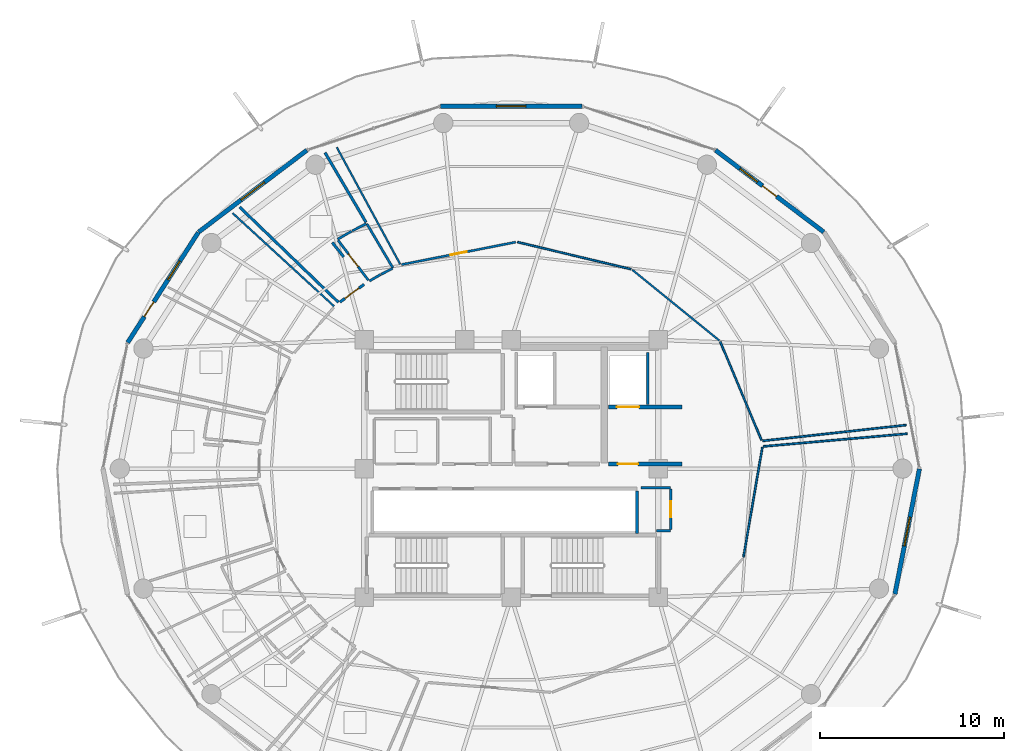
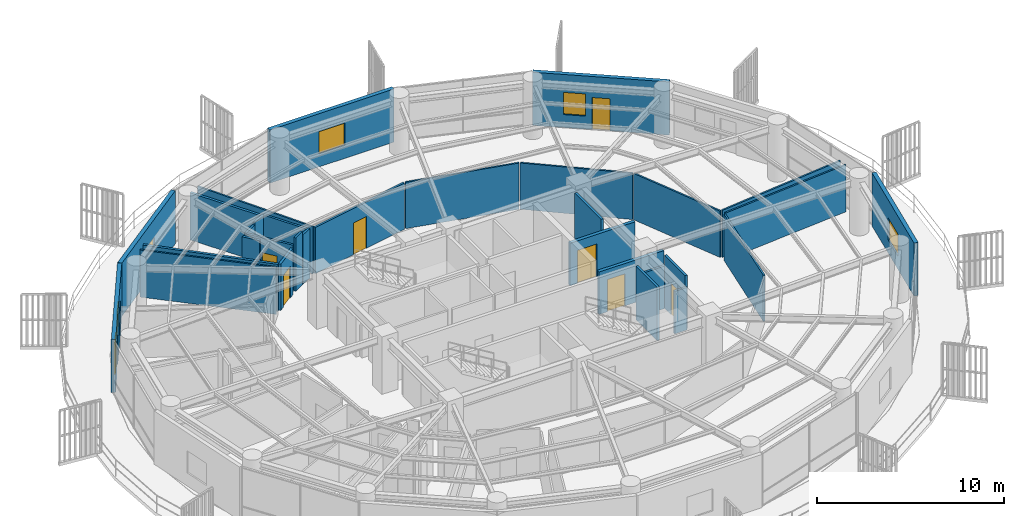
# One storey, part 26 of 31: 31 walls, 8 doors, 5 windows, 13 openings.
"""IFC4 building model written with IfcOpenShell, lengths in metres."""

from ifc_helpers import new_model, si_unit, direction, frame, frame_2d, origin, place, context, subcontext, project, spatial, rectangle, extrude, material, layer, layer_set, type_object, element, fill, save


model = new_model("IFC4")

# Units and contexts
model_context = context("Model", 3, precision=1e-05, world=origin(), true_north=direction((0.0, 1.0)))
body_context = subcontext(model_context, "Body", "Model", "MODEL_VIEW")
ifc_project = project(units=[si_unit("LENGTHUNIT", "METRE"), si_unit("AREAUNIT", "SQUARE_METRE"), si_unit("VOLUMEUNIT", "CUBIC_METRE"), si_unit("PLANEANGLEUNIT", "RADIAN"), si_unit("MASSUNIT", "GRAM", prefix="KILO")], contexts=[model_context])

# Site, building, storey
site_placement = place(None, origin())
site = spatial("IfcSite", under=ifc_project, at=site_placement, CompositionType="ELEMENT")
building_placement = place(site_placement, origin())
building = spatial("IfcBuilding", under=site, at=building_placement, Name="Kelanora Arch Commons", CompositionType="ELEMENT")
storey_placement = place(building_placement, frame((0.0, 0.0, 230.699951171875)))
storey = spatial("IfcBuildingStorey", under=building, at=storey_placement, Name="L59", CompositionType="ELEMENT", Elevation=230.699951171875)

# Walls
ifc_material_1 = material(Name="Autoclaved aerated concrete blockwork with fire plaster", Category="masonry")
ifc_layer_1 = layer(ifc_material_1, 0.14990234375)
ifc_layer_set_1 = layer_set([ifc_layer_1], Name="Autoclaved aerated concrete blockwork with fire plaster")
wall_type_1 = type_object("IfcWallType", Name="W-COMP-150", PredefinedType="PARTITIONING", material=ifc_layer_set_1)
wall_1_placement = place(storey_placement, frame((81.419921875, 61.47998046875, 0.0), z_axis=(0.0, 0.0, 1.0), x_axis=(0.0, 1.0, 0.0)))
element("IfcWall", 1, at=wall_1_placement, inside=storey, type_object=wall_type_1, Name="Firefighting Lift 2 East Shaft Wall L59", PredefinedType="PARTITIONING", context=body_context, shape_type="SweptSolid", body=[
    extrude(rectangle(XDim=2.840087890625, YDim=0.14990234375, at=frame_2d((1.419921875, 0.0))), origin(), (0.0, 0.0, 1.0), 3.47998046875),
])
wall_2_placement = place(storey_placement, frame((80.840087890625, 54.47998046875, 0.0), z_axis=(0.0, 0.0, 1.0), x_axis=(0.0, 1.0, 0.0)))
element("IfcWall", 2, at=wall_2_placement, inside=storey, type_object=wall_type_1, Name="South Lift Bank East Wall L59", PredefinedType="PARTITIONING", context=body_context, shape_type="SweptSolid", body=[
    extrude(rectangle(XDim=2.2900390625, YDim=0.14990234375, at=frame_2d((1.14501953125, 0.0))), origin(), (0.0, 0.0, 1.0), 3.47998046875),
])

# Wall, opening, door
wall_3_placement = place(storey_placement, frame((65.99853515625, 68.015380859375, 0.0), z_axis=(0.0, 0.0, 1.0), x_axis=(-0.806790207918, -0.59083801537, 0.0)))
wall_3 = element("IfcWall", 3, at=wall_3_placement, inside=storey, type_object=wall_type_1, Name="Cluster Bedroom L59-01 Entry Partition", PredefinedType="PARTITIONING", context=body_context, shape_type="SweptSolid", body=[
    extrude(rectangle(XDim=1.63134765625, YDim=0.14990234375, at=frame_2d((0.815673828125, 0.0))), origin(), (0.0, 0.0, 1.0), 3.025146484375),
])
opening_1_placement = place(wall_3_placement, frame((0.341064453125, 0.0, 0.0)))
opening_1 = element("IfcOpeningElement", 4, at=opening_1_placement, cuts=wall_3, Name="Opening D-CLU1", PredefinedType="OPENING", context=body_context, shape_type="SweptSolid", body=[
    extrude(rectangle(XDim=0.949951171875, YDim=2.080078125, at=frame_2d((0.47509765625, 1.0400390625))), frame((0.0, 0.0849609375, 0.0), z_axis=(0.0, -1.0, 0.0), x_axis=(1.0, 0.0, 0.0)), (0.0, 0.0, 1.0), 0.169921875),
])
ifc_material_2 = material(Name="Solid-core acoustic timber cluster entry fire door", Category="wood")
door_type_1 = type_object("IfcDoorType", Name="D-CLU-95", OperationType="NOTDEFINED", PredefinedType="DOOR", material=ifc_material_2)
door_1_placement = place(opening_1_placement, origin())
door_1 = element("IfcDoor", 5, at=door_1_placement, inside=storey, type_object=door_type_1, Name="Cluster Bedroom L59-01 Door", OperationType="SINGLE_SWING_RIGHT", OverallHeight=2.080078125, OverallWidth=0.949951171875, PredefinedType="DOOR", context=body_context, shape_type="SweptSolid", body=[
    extrude(rectangle(XDim=0.949951171875, YDim=2.080078125, at=frame_2d((0.47509765625, 1.0400390625))), frame((0.0, 0.02490234375, 0.0), z_axis=(0.0, -1.0, 0.0), x_axis=(1.0, 0.0, 0.0)), (0.0, 0.0, 1.0), 0.050048828125),
])
fill(opening_1, door_1)

# Walls
wall_4_placement = place(storey_placement, frame((64.605224609375, 67.043701171875, 0.0), z_axis=(0.0, 0.0, 1.0), x_axis=(-0.719927885424, 0.694048874208, 0.0)))
element("IfcWall", 6, at=wall_4_placement, inside=storey, type_object=wall_type_1, Name="Cluster Bedroom L59-01 Enclosure Partition 2", PredefinedType="PARTITIONING", context=body_context, shape_type="SweptSolid", body=[
    extrude(rectangle(XDim=7.452880859375, YDim=0.14990234375, at=frame_2d((3.7265625, 0.0))), origin(), (0.0, 0.0, 1.0), 3.074951171875),
])
wall_5_placement = place(storey_placement, frame((63.875244140625, 75.181396484375, 0.0), z_axis=(0.0, 0.0, 1.0), x_axis=(0.50737473807, -0.861725521943, 0.0)))
element("IfcWall", 7, at=wall_5_placement, inside=storey, type_object=wall_type_1, Name="Cluster Bedroom L59-01 Enclosure Partition 5", PredefinedType="PARTITIONING", context=body_context, shape_type="SweptSolid", body=[
    extrude(rectangle(XDim=4.392333984375, YDim=0.14990234375, at=frame_2d((2.1962890625, 0.0))), origin(), (0.0, 0.0, 1.0), 3.074951171875),
])
wall_6_placement = place(storey_placement, frame((64.27490234375, 70.29248046875, 0.0), z_axis=(0.0, 0.0, 1.0), x_axis=(0.620137292908, -0.784493300127, 0.0)))
element("IfcWall", 8, at=wall_6_placement, inside=storey, type_object=wall_type_1, Name="Cluster Bedroom L59-01 Enclosure Partition 7", PredefinedType="PARTITIONING", context=body_context, shape_type="SweptSolid", body=[
    extrude(rectangle(XDim=0.995361328125, YDim=0.14990234375, at=frame_2d((0.49755859375, 0.0))), origin(), (0.0, 0.0, 1.0), 3.025146484375),
])

# Wall, openings, door, window
ifc_material_3 = material(Name="Precast concrete C40/50 upper-zone terracotta rainscreen", Category="masonry")
ifc_layer_2 = layer(ifc_material_3, 0.239990234375)
ifc_layer_set_2 = layer_set([ifc_layer_2], Name="Precast concrete C40/50 upper-zone terracotta rainscreen")
wall_type_2 = type_object("IfcWallType", Name="W-EXT-TC2", PredefinedType="SOLIDWALL", material=ifc_layer_set_2)
wall_7_placement = place(storey_placement, frame((90.994140625, 70.86474609375, 0.0), z_axis=(0.0, 0.0, 1.0), x_axis=(-0.797701674595, 0.603052268338, 0.0)))
wall_7 = element("IfcWall", 9, at=wall_7_placement, inside=storey, type_object=wall_type_2, Name="Terracotta Exterior Wall L59-B02", PredefinedType="SOLIDWALL", context=body_context, shape_type="SweptSolid", body=[
    extrude(rectangle(XDim=7.373779296875, YDim=0.239990234375, at=frame_2d((3.68701171875, 0.0))), origin(), (0.0, 0.0, 1.0), 3.47509765625),
])
opening_2_placement = place(wall_7_placement, frame((3.2119140625, 0.0, 0.0)))
opening_2 = element("IfcOpeningElement", 10, at=opening_2_placement, cuts=wall_7, Name="Opening DB-01", PredefinedType="OPENING", context=body_context, shape_type="SweptSolid", body=[
    extrude(rectangle(XDim=0.949951171875, YDim=2.10009765625, at=frame_2d((0.47509765625, 1.050048828125))), frame((0.0, 0.1298828125, 0.0), z_axis=(0.0, -1.0, 0.0), x_axis=(1.0, 0.0, 0.0)), (0.0, 0.0, 1.0), 0.260009765625),
])
opening_3_placement = place(wall_7_placement, frame((4.511962890625, 0.0, 0.85009765625)))
opening_3 = element("IfcOpeningElement", 11, at=opening_3_placement, cuts=wall_7, Name="Opening WN-02", PredefinedType="OPENING", context=body_context, shape_type="SweptSolid", body=[
    extrude(rectangle(XDim=1.199951171875, YDim=1.449951171875, at=frame_2d((0.60009765625, 0.72509765625))), frame((0.0, 0.1298828125, 0.0), z_axis=(0.0, -1.0, 0.0), x_axis=(1.0, 0.0, 0.0)), (0.0, 0.0, 1.0), 0.260009765625),
])
ifc_material_4 = material(Name="Terracotta-aluminium thermally broken glazed balcony door", Category="masonry")
door_type_2 = type_object("IfcDoorType", Name="D-BAL-10", OperationType="NOTDEFINED", PredefinedType="DOOR", material=ifc_material_4)
door_2_placement = place(opening_2_placement, frame((0.949951171875, 0.0, 0.0), z_axis=(0.0, 0.0, 1.0), x_axis=(-1.0, 0.0, 0.0)))
door_2 = element("IfcDoor", 12, at=door_2_placement, inside=storey, type_object=door_type_2, Name="Wave Balcony Door L59-B02", OperationType="SINGLE_SWING_RIGHT", OverallHeight=2.10009765625, OverallWidth=0.949951171875, PredefinedType="DOOR", context=body_context, shape_type="SweptSolid", body=[
    extrude(rectangle(XDim=0.949951171875, YDim=2.10009765625, at=frame_2d((0.47509765625, 1.050048828125))), frame((0.0, 0.02490234375, 0.0), z_axis=(0.0, -1.0, 0.0), x_axis=(1.0, 0.0, 0.0)), (0.0, 0.0, 1.0), 0.050048828125),
])
fill(opening_2, door_2)
ifc_material_5 = material(Name="Terracotta-anodised aluminium frame with operable awning sash", Category="masonry")
window_type_1 = type_object("IfcWindowType", Name="WIN-CL-12", PartitioningType="SINGLE_PANEL", PredefinedType="WINDOW", material=ifc_material_5)
window_1_placement = place(opening_3_placement, origin())
window_1 = element("IfcWindow", 13, at=window_1_placement, inside=storey, type_object=window_type_1, Name="Co-Living Operable Window L59-B02", OverallHeight=1.449951171875, OverallWidth=1.199951171875, PartitioningType="SINGLE_PANEL", PredefinedType="WINDOW", context=body_context, shape_type="SweptSolid", body=[
    extrude(rectangle(XDim=1.199951171875, YDim=1.449951171875, at=frame_2d((0.60009765625, 0.72509765625))), frame((0.0, 0.030029296875, 0.0), z_axis=(0.0, -1.0, 0.0), x_axis=(1.0, 0.0, 0.0)), (0.0, 0.0, 1.0), 0.06005859375),
])
fill(opening_3, window_1)

# Wall, opening, window
wall_8_placement = place(storey_placement, frame((77.840087890625, 77.6962890625, 0.0), z_axis=(0.0, 0.0, 1.0), x_axis=(-1.0, 0.0, 0.0)))
wall_8 = element("IfcWall", 14, at=wall_8_placement, inside=storey, type_object=wall_type_2, Name="Terracotta Exterior Wall L59-B04", PredefinedType="SOLIDWALL", context=body_context, shape_type="SweptSolid", body=[
    extrude(rectangle(XDim=7.68017578125, YDim=0.239990234375, at=frame_2d((3.840087890625, 0.0))), origin(), (0.0, 0.0, 1.0), 3.47509765625),
])
opening_4_placement = place(wall_8_placement, frame((3.0400390625, 0.0, 0.85009765625)))
opening_4 = element("IfcOpeningElement", 15, at=opening_4_placement, cuts=wall_8, Name="Opening WN-01", PredefinedType="OPENING", context=body_context, shape_type="SweptSolid", body=[
    extrude(rectangle(XDim=1.60009765625, YDim=1.449951171875, at=frame_2d((0.800048828125, 0.72509765625))), frame((0.0, 0.1298828125, 0.0), z_axis=(0.0, -1.0, 0.0), x_axis=(1.0, 0.0, 0.0)), (0.0, 0.0, 1.0), 0.260009765625),
])
ifc_material_6 = material(Name="Terracotta-anodised aluminium frame with operable low-E glazing", Category="masonry")
window_type_2 = type_object("IfcWindowType", Name="WIN-CL-18", PartitioningType="DOUBLE_PANEL_VERTICAL", PredefinedType="WINDOW", material=ifc_material_6)
window_2_placement = place(opening_4_placement, origin())
window_2 = element("IfcWindow", 16, at=window_2_placement, inside=storey, type_object=window_type_2, Name="Co-Living Operable Window L59-B04", OverallHeight=1.449951171875, OverallWidth=1.60009765625, PartitioningType="SINGLE_PANEL", PredefinedType="WINDOW", context=body_context, shape_type="SweptSolid", body=[
    extrude(rectangle(XDim=1.60009765625, YDim=1.449951171875, at=frame_2d((0.800048828125, 0.72509765625))), frame((0.0, 0.030029296875, 0.0), z_axis=(0.0, -1.0, 0.0), x_axis=(1.0, 0.0, 0.0)), (0.0, 0.0, 1.0), 0.06005859375),
])
fill(opening_4, window_2)

wall_9_placement = place(storey_placement, frame((62.887939453125, 75.3115234375, 0.0), z_axis=(0.0, 0.0, 1.0), x_axis=(-0.797701674595, -0.603052268338, 0.0)))
wall_9 = element("IfcWall", 17, at=wall_9_placement, inside=storey, type_object=wall_type_2, Name="Terracotta Exterior Wall L59-B06", PredefinedType="SOLIDWALL", context=body_context, shape_type="SweptSolid", body=[
    extrude(rectangle(XDim=7.373779296875, YDim=0.239990234375, at=frame_2d((3.68701171875, 0.0))), origin(), (0.0, 0.0, 1.0), 3.47509765625),
])
opening_5_placement = place(wall_9_placement, frame((2.886962890625, 0.0, 0.85009765625)))
opening_5 = element("IfcOpeningElement", 18, at=opening_5_placement, cuts=wall_9, Name="Opening WN-01", PredefinedType="OPENING", context=body_context, shape_type="SweptSolid", body=[
    extrude(rectangle(XDim=1.60009765625, YDim=1.449951171875, at=frame_2d((0.800048828125, 0.72509765625))), frame((0.0, 0.1298828125, 0.0), z_axis=(0.0, -1.0, 0.0), x_axis=(1.0, 0.0, 0.0)), (0.0, 0.0, 1.0), 0.260009765625),
])
window_3_placement = place(opening_5_placement, origin())
window_3 = element("IfcWindow", 19, at=window_3_placement, inside=storey, type_object=window_type_2, Name="Co-Living Operable Window L59-B06", OverallHeight=1.449951171875, OverallWidth=1.60009765625, PartitioningType="SINGLE_PANEL", PredefinedType="WINDOW", context=body_context, shape_type="SweptSolid", body=[
    extrude(rectangle(XDim=1.60009765625, YDim=1.449951171875, at=frame_2d((0.800048828125, 0.72509765625))), frame((0.0, 0.030029296875, 0.0), z_axis=(0.0, -1.0, 0.0), x_axis=(1.0, 0.0, 0.0)), (0.0, 0.0, 1.0), 0.06005859375),
])
fill(opening_5, window_3)

# Wall, openings, door, window
wall_10_placement = place(storey_placement, frame((56.985595703125, 70.84326171875, 0.0), z_axis=(0.0, 0.0, 1.0), x_axis=(-0.539539512973, -0.841960280501, 0.0)))
wall_10 = element("IfcWall", 20, at=wall_10_placement, inside=storey, type_object=wall_type_2, Name="Terracotta Exterior Wall L59-B07", PredefinedType="SOLIDWALL", context=body_context, shape_type="SweptSolid", body=[
    extrude(rectangle(XDim=7.11474609375, YDim=0.239990234375, at=frame_2d((3.557373046875, 0.0))), origin(), (0.0, 0.0, 1.0), 3.47509765625),
])
opening_6_placement = place(wall_10_placement, frame((4.48193359375, 0.0, 0.0)))
opening_6 = element("IfcOpeningElement", 21, at=opening_6_placement, cuts=wall_10, Name="Opening DB-01", PredefinedType="OPENING", context=body_context, shape_type="SweptSolid", body=[
    extrude(rectangle(XDim=0.949951171875, YDim=2.10009765625, at=frame_2d((0.47509765625, 1.050048828125))), frame((0.0, 0.1298828125, 0.0), z_axis=(0.0, -1.0, 0.0), x_axis=(1.0, 0.0, 0.0)), (0.0, 0.0, 1.0), 0.260009765625),
])
opening_7_placement = place(wall_10_placement, frame((1.85205078125, 0.0, 0.85009765625)))
opening_7 = element("IfcOpeningElement", 22, at=opening_7_placement, cuts=wall_10, Name="Opening WN-02", PredefinedType="OPENING", context=body_context, shape_type="SweptSolid", body=[
    extrude(rectangle(XDim=1.199951171875, YDim=1.449951171875, at=frame_2d((0.60009765625, 0.72509765625))), frame((0.0, 0.1298828125, 0.0), z_axis=(0.0, -1.0, 0.0), x_axis=(1.0, 0.0, 0.0)), (0.0, 0.0, 1.0), 0.260009765625),
])
door_3_placement = place(opening_6_placement, frame((0.949951171875, 0.0, 0.0), z_axis=(0.0, 0.0, 1.0), x_axis=(-1.0, 0.0, 0.0)))
door_3 = element("IfcDoor", 23, at=door_3_placement, inside=storey, type_object=door_type_2, Name="Wave Balcony Door L59-B07", OperationType="SINGLE_SWING_LEFT", OverallHeight=2.10009765625, OverallWidth=0.949951171875, PredefinedType="DOOR", context=body_context, shape_type="SweptSolid", body=[
    extrude(rectangle(XDim=0.949951171875, YDim=2.10009765625, at=frame_2d((0.47509765625, 1.050048828125))), frame((0.0, 0.02490234375, 0.0), z_axis=(0.0, -1.0, 0.0), x_axis=(1.0, 0.0, 0.0)), (0.0, 0.0, 1.0), 0.050048828125),
])
fill(opening_6, door_3)
window_4_placement = place(opening_7_placement, origin())
window_4 = element("IfcWindow", 24, at=window_4_placement, inside=storey, type_object=window_type_1, Name="Co-Living Operable Window L59-B07", OverallHeight=1.449951171875, OverallWidth=1.199951171875, PartitioningType="SINGLE_PANEL", PredefinedType="WINDOW", context=body_context, shape_type="SweptSolid", body=[
    extrude(rectangle(XDim=1.199951171875, YDim=1.449951171875, at=frame_2d((0.60009765625, 0.72509765625))), frame((0.0, 0.030029296875, 0.0), z_axis=(0.0, -1.0, 0.0), x_axis=(1.0, 0.0, 0.0)), (0.0, 0.0, 1.0), 0.06005859375),
])
fill(opening_7, window_4)

# Wall, opening, window
wall_11_placement = place(storey_placement, frame((94.864013671875, 51.17431640625, 0.0), z_axis=(0.0, 0.0, 1.0), x_axis=(0.192069055673, 0.981381413036, 0.0)))
wall_11 = element("IfcWall", 25, at=wall_11_placement, inside=storey, type_object=wall_type_2, Name="Terracotta Exterior Wall L59-B17", PredefinedType="SOLIDWALL", context=body_context, shape_type="SweptSolid", body=[
    extrude(rectangle(XDim=6.940185546875, YDim=0.239990234375, at=frame_2d((3.47021484375, 0.0))), origin(), (0.0, 0.0, 1.0), 3.47509765625),
])
opening_8_placement = place(wall_11_placement, frame((2.669921875, 0.0, 0.85009765625)))
opening_8 = element("IfcOpeningElement", 26, at=opening_8_placement, cuts=wall_11, Name="Opening WN-01", PredefinedType="OPENING", context=body_context, shape_type="SweptSolid", body=[
    extrude(rectangle(XDim=1.60009765625, YDim=1.449951171875, at=frame_2d((0.800048828125, 0.72509765625))), frame((0.0, 0.1298828125, 0.0), z_axis=(0.0, -1.0, 0.0), x_axis=(1.0, 0.0, 0.0)), (0.0, 0.0, 1.0), 0.260009765625),
])
window_5_placement = place(opening_8_placement, origin())
window_5 = element("IfcWindow", 27, at=window_5_placement, inside=storey, type_object=window_type_2, Name="Co-Living Operable Window L59-B17", OverallHeight=1.449951171875, OverallWidth=1.60009765625, PartitioningType="SINGLE_PANEL", PredefinedType="WINDOW", context=body_context, shape_type="SweptSolid", body=[
    extrude(rectangle(XDim=1.60009765625, YDim=1.449951171875, at=frame_2d((0.800048828125, 0.72509765625))), frame((0.0, 0.030029296875, 0.0), z_axis=(0.0, -1.0, 0.0), x_axis=(1.0, 0.0, 0.0)), (0.0, 0.0, 1.0), 0.06005859375),
])
fill(opening_8, window_5)

# Wall, opening, door
ifc_material_7 = material(Name="Concrete C40/50", Category="concrete")
ifc_layer_3 = layer(ifc_material_7, 0.199951171875)
ifc_layer_set_3 = layer_set([ifc_layer_3], Name="Concrete C40/50")
wall_type_3 = type_object("IfcWallType", Name="W-FFL-200", PredefinedType="SOLIDWALL", material=ifc_layer_set_3)
wall_12_placement = place(storey_placement, frame((79.300048828125, 61.35009765625, 0.0), z_axis=(0.0, 0.0, 1.0), x_axis=(1.0, 0.0, 0.0)))
wall_12 = element("IfcWall", 28, at=wall_12_placement, inside=storey, type_object=wall_type_3, Name="Firefighting Lift 2 Shaft Front L59", PredefinedType="SOLIDWALL", context=body_context, shape_type="SweptSolid", body=[
    extrude(rectangle(XDim=4.0, YDim=0.199951171875, at=frame_2d((2.0, 0.0))), origin(), (0.0, 0.0, 1.0), 2.775146484375),
])
opening_9_placement = place(wall_12_placement, frame((0.449951171875, 0.0, 0.0)))
opening_9 = element("IfcOpeningElement", 29, at=opening_9_placement, cuts=wall_12, Name="Opening LD-FF", PredefinedType="OPENING", context=body_context, shape_type="SweptSolid", body=[
    extrude(rectangle(XDim=1.199951171875, YDim=2.14990234375, at=frame_2d((0.60009765625, 1.074951171875))), frame((0.0, 0.10986328125, 0.0), z_axis=(0.0, -1.0, 0.0), x_axis=(1.0, 0.0, 0.0)), (0.0, 0.0, 1.0), 0.219970703125),
])
ifc_material_8 = material(Name="Fire-rated firefighters lift sliding landing door")
door_type_3 = type_object("IfcDoorType", Name="D-LIFT-FF", OperationType="NOTDEFINED", PredefinedType="DOOR", material=ifc_material_8)
door_4_placement = place(opening_9_placement, origin())
door_4 = element("IfcDoor", 30, at=door_4_placement, inside=storey, type_object=door_type_3, Name="Firefighting Lift LF-FF2 Landing Door L59", OperationType="DOUBLE_DOOR_SLIDING", OverallHeight=2.14990234375, OverallWidth=1.199951171875, PredefinedType="DOOR", context=body_context, shape_type="SweptSolid", body=[
    extrude(rectangle(XDim=1.199951171875, YDim=2.14990234375, at=frame_2d((0.60009765625, 1.074951171875))), frame((0.0, 0.02490234375, 0.0), z_axis=(0.0, -1.0, 0.0), x_axis=(1.0, 0.0, 0.0)), (0.0, 0.0, 1.0), 0.050048828125),
])
fill(opening_9, door_4)

wall_13_placement = place(storey_placement, frame((79.300048828125, 58.25, 0.0), z_axis=(0.0, 0.0, 1.0), x_axis=(1.0, 0.0, 0.0)))
wall_13 = element("IfcWall", 31, at=wall_13_placement, inside=storey, type_object=wall_type_3, Name="Firefighting Lobby 2 Enclosure Wall L59", PredefinedType="SOLIDWALL", context=body_context, shape_type="SweptSolid", body=[
    extrude(rectangle(XDim=4.0, YDim=0.199951171875, at=frame_2d((2.0, 0.0))), origin(), (0.0, 0.0, 1.0), 2.775146484375),
])
opening_10_placement = place(wall_13_placement, frame((0.5, 0.0, 0.0)))
opening_10 = element("IfcOpeningElement", 32, at=opening_10_placement, cuts=wall_13, Name="Opening D-FFL1", PredefinedType="OPENING", context=body_context, shape_type="SweptSolid", body=[
    extrude(rectangle(XDim=1.10009765625, YDim=2.10009765625, at=frame_2d((0.550048828125, 1.050048828125))), frame((0.0, 0.10986328125, 0.0), z_axis=(0.0, -1.0, 0.0), x_axis=(1.0, 0.0, 0.0)), (0.0, 0.0, 1.0), 0.219970703125),
])
ifc_material_9 = material(Name="Smoke-sealed firefighting lobby fire door")
door_type_4 = type_object("IfcDoorType", Name="D-FFL-110", OperationType="NOTDEFINED", PredefinedType="DOOR", material=ifc_material_9)
door_5_placement = place(opening_10_placement, frame((1.10009765625, 0.0, 0.0), z_axis=(0.0, 0.0, 1.0), x_axis=(-1.0, 0.0, 0.0)))
door_5 = element("IfcDoor", 33, at=door_5_placement, inside=storey, type_object=door_type_4, Name="Firefighting Lobby 2 Door L59", OperationType="SINGLE_SWING_RIGHT", OverallHeight=2.10009765625, OverallWidth=1.10009765625, PredefinedType="DOOR", context=body_context, shape_type="SweptSolid", body=[
    extrude(rectangle(XDim=1.10009765625, YDim=2.10009765625, at=frame_2d((0.550048828125, 1.050048828125))), frame((0.0, 0.02490234375, 0.0), z_axis=(0.0, -1.0, 0.0), x_axis=(1.0, 0.0, 0.0)), (0.0, 0.0, 1.0), 0.050048828125),
])
fill(opening_10, door_5)

# Walls
ifc_material_10 = material(Name="Lightweight fire-rated acoustic stud partition")
ifc_layer_4 = layer(ifc_material_10, 0.10009765625)
ifc_layer_set_4 = layer_set([ifc_layer_4], Name="Lightweight fire-rated acoustic stud partition")
wall_type_4 = type_object("IfcWallType", Name="W-PART-100", PredefinedType="PARTITIONING", material=ifc_layer_set_4)
wall_14_placement = place(storey_placement, frame((86.62890625, 53.1875, 0.0), z_axis=(0.0, 0.0, 1.0), x_axis=(0.169580632524, 0.985516315985, 0.0)))
element("IfcWall", 34, at=wall_14_placement, inside=storey, type_object=wall_type_4, Name="South-East Shared Study Commons L59 Enclosure Partition 4", PredefinedType="PARTITIONING", context=body_context, shape_type="SweptSolid", body=[
    extrude(rectangle(XDim=6.06396484375, YDim=0.10009765625, at=frame_2d((3.031982421875, 0.0))), origin(), (0.0, 0.0, 1.0), 3.025146484375),
])
wall_15_placement = place(storey_placement, frame((87.703857421875, 59.20654296875, 0.0), z_axis=(0.0, 0.0, 1.0), x_axis=(0.996132647719, 0.087862097337, 0.0)))
element("IfcWall", 35, at=wall_15_placement, inside=storey, type_object=wall_type_4, Name="South-East Shared Study Commons L59 Enclosure Partition 5", PredefinedType="PARTITIONING", context=body_context, shape_type="SweptSolid", body=[
    extrude(rectangle(XDim=7.86376953125, YDim=0.10009765625, at=frame_2d((3.931884765625, 0.0))), origin(), (0.0, 0.0, 1.0), 3.074951171875),
])
wall_16_placement = place(storey_placement, frame((87.612548828125, 59.539794921875, 0.0), z_axis=(0.0, 0.0, 1.0), x_axis=(-0.38662991483, 0.922234953229, 0.0)))
element("IfcWall", 36, at=wall_16_placement, inside=storey, type_object=wall_type_4, Name="North-East Shared Cluster Kitchen L59 Enclosure Partition 1", PredefinedType="PARTITIONING", context=body_context, shape_type="SweptSolid", body=[
    extrude(rectangle(XDim=5.814453125, YDim=0.10009765625, at=frame_2d((2.9072265625, 0.0))), origin(), (0.0, 0.0, 1.0), 3.025146484375),
])
wall_17_placement = place(storey_placement, frame((85.318115234375, 64.964111328125, 0.0), z_axis=(0.0, 0.0, 1.0), x_axis=(-0.776225367264, 0.6304555331, 0.0)))
element("IfcWall", 37, at=wall_17_placement, inside=storey, type_object=wall_type_4, Name="North-East Shared Cluster Kitchen L59 Enclosure Partition 2", PredefinedType="PARTITIONING", context=body_context, shape_type="SweptSolid", body=[
    extrude(rectangle(XDim=6.101318359375, YDim=0.10009765625, at=frame_2d((3.05078125, 0.0))), origin(), (0.0, 0.0, 1.0), 3.025146484375),
])
wall_18_placement = place(storey_placement, frame((80.51220703125, 68.84521484375, 0.0), z_axis=(0.0, 0.0, 1.0), x_axis=(-0.97271492098, 0.232003626055, 0.0)))
element("IfcWall", 38, at=wall_18_placement, inside=storey, type_object=wall_type_4, Name="North-East Shared Cluster Kitchen L59 Enclosure Partition 3", PredefinedType="PARTITIONING", context=body_context, shape_type="SweptSolid", body=[
    extrude(rectangle(XDim=6.346435546875, YDim=0.10009765625, at=frame_2d((3.17333984375, 0.0))), origin(), (0.0, 0.0, 1.0), 3.025146484375),
])
wall_19_placement = place(storey_placement, frame((67.9619140625, 69.1171875, 0.0), z_axis=(0.0, 0.0, 1.0), x_axis=(-0.476664873876, 0.879085091452, 0.0)))
element("IfcWall", 39, at=wall_19_placement, inside=storey, type_object=wall_type_4, Name="North-East Shared Cluster Kitchen L59 Enclosure Partition 5", PredefinedType="PARTITIONING", context=body_context, shape_type="SweptSolid", body=[
    extrude(rectangle(XDim=7.23095703125, YDim=0.10009765625, at=frame_2d((3.615478515625, 0.0))), origin(), (0.0, 0.0, 1.0), 3.074951171875),
])
wall_20_placement = place(storey_placement, frame((95.478271484375, 60.36962890625, 0.0), z_axis=(0.0, 0.0, 1.0), x_axis=(-0.993960784938, -0.109735855601, 0.0)))
element("IfcWall", 40, at=wall_20_placement, inside=storey, type_object=wall_type_4, Name="North-East Shared Cluster Kitchen L59 Enclosure Partition 10", PredefinedType="PARTITIONING", context=body_context, shape_type="SweptSolid", body=[
    extrude(rectangle(XDim=7.85791015625, YDim=0.10009765625, at=frame_2d((3.928955078125, 0.0))), origin(), (0.0, 0.0, 1.0), 3.074951171875),
])
wall_21_placement = place(storey_placement, frame((58.857421875, 71.887939453125, 0.0), z_axis=(0.0, 0.0, 1.0), x_axis=(0.736669736632, -0.676252688815, 0.0)))
element("IfcWall", 41, at=wall_21_placement, inside=storey, type_object=wall_type_4, Name="Social Sky Lounge L59-02 Enclosure Partition 4", PredefinedType="PARTITIONING", context=body_context, shape_type="SweptSolid", body=[
    extrude(rectangle(XDim=7.4716796875, YDim=0.10009765625, at=frame_2d((3.73583984375, 0.0))), origin(), (0.0, 0.0, 1.0), 3.074951171875),
])

# Wall, opening, door
ifc_material_11 = material(Name="Acoustic twin-stud fire-rated gypsum partition")
ifc_layer_5 = layer(ifc_material_11, 0.1201171875)
ifc_layer_set_5 = layer_set([ifc_layer_5], Name="Acoustic twin-stud fire-rated gypsum partition")
wall_type_5 = type_object("IfcWallType", Name="W-PART-120", PredefinedType="PARTITIONING", material=ifc_layer_set_5)
wall_22_placement = place(storey_placement, frame((74.2412109375, 70.3154296875, 0.0), z_axis=(0.0, 0.0, 1.0), x_axis=(-0.981135287424, -0.193322393353, 0.0)))
wall_22 = element("IfcWall", 42, at=wall_22_placement, inside=storey, type_object=wall_type_5, Name="North-East Shared Cluster Kitchen L59 Entry Partition", PredefinedType="PARTITIONING", context=body_context, shape_type="SweptSolid", body=[
    extrude(rectangle(XDim=6.320556640625, YDim=0.1201171875, at=frame_2d((3.16015625, 0.0))), origin(), (0.0, 0.0, 1.0), 3.025146484375),
])
opening_11_placement = place(wall_22_placement, frame((2.7099609375, 0.0, 0.0)))
opening_11 = element("IfcOpeningElement", 43, at=opening_11_placement, cuts=wall_22, Name="Opening D-RM1", PredefinedType="OPENING", context=body_context, shape_type="SweptSolid", body=[
    extrude(rectangle(XDim=0.89990234375, YDim=2.080078125, at=frame_2d((0.449951171875, 1.0400390625))), frame((0.0, 0.070068359375, 0.0), z_axis=(0.0, -1.0, 0.0), x_axis=(1.0, 0.0, 0.0)), (0.0, 0.0, 1.0), 0.14013671875),
])
ifc_material_12 = material(Name="Acoustic fire-rated timber study and lounge door", Category="wood")
door_type_5 = type_object("IfcDoorType", Name="D-ROOM-90", OperationType="NOTDEFINED", PredefinedType="DOOR", material=ifc_material_12)
door_6_placement = place(opening_11_placement, origin())
door_6 = element("IfcDoor", 44, at=door_6_placement, inside=storey, type_object=door_type_5, Name="North-East Shared Cluster Kitchen L59 Door", OperationType="SINGLE_SWING_RIGHT", OverallHeight=2.080078125, OverallWidth=0.89990234375, PredefinedType="DOOR", context=body_context, shape_type="SweptSolid", body=[
    extrude(rectangle(XDim=0.89990234375, YDim=2.080078125, at=frame_2d((0.449951171875, 1.0400390625))), frame((0.0, 0.02490234375, 0.0), z_axis=(0.0, -1.0, 0.0), x_axis=(1.0, 0.0, 0.0)), (0.0, 0.0, 1.0), 0.050048828125),
])
fill(opening_11, door_6)

ifc_material_13 = material(Name="Moisture-resistant fire-rated cement-board plumbing wall")
ifc_layer_6 = layer(ifc_material_13, 0.1298828125)
ifc_layer_set_6 = layer_set([ifc_layer_6], Name="Moisture-resistant fire-rated cement-board plumbing wall")
wall_type_6 = type_object("IfcWallType", Name="W-WET-120", PredefinedType="PLUMBINGWALL", material=ifc_layer_set_6)
wall_23_placement = place(storey_placement, frame((82.679931640625, 54.679931640625, 0.0), z_axis=(0.0, 0.0, 1.0), x_axis=(0.0, 1.0, 0.0)))
wall_23 = element("IfcWall", 45, at=wall_23_placement, inside=storey, type_object=wall_type_6, Name="Core Accessible Unisex WC L59 Entry Partition", PredefinedType="PLUMBINGWALL", context=body_context, shape_type="SweptSolid", body=[
    extrude(rectangle(XDim=2.2099609375, YDim=0.1298828125, at=frame_2d((1.10498046875, 0.0))), origin(), (0.0, 0.0, 1.0), 3.47998046875),
])
opening_12_placement = place(wall_23_placement, frame((0.675048828125, 0.0, 0.0)))
opening_12 = element("IfcOpeningElement", 46, at=opening_12_placement, cuts=wall_23, Name="Opening D-BT1", PredefinedType="OPENING", context=body_context, shape_type="SweptSolid", body=[
    extrude(rectangle(XDim=0.860107421875, YDim=2.050048828125, at=frame_2d((0.43017578125, 1.02490234375))), frame((0.0, 0.074951171875, 0.0), z_axis=(0.0, -1.0, 0.0), x_axis=(1.0, 0.0, 0.0)), (0.0, 0.0, 1.0), 0.14990234375),
])
ifc_material_14 = material(Name="Moisture-sealed fire-rated accessible bathroom door")
door_type_6 = type_object("IfcDoorType", Name="D-BATH-85", OperationType="NOTDEFINED", PredefinedType="DOOR", material=ifc_material_14)
door_7_placement = place(opening_12_placement, origin())
door_7 = element("IfcDoor", 47, at=door_7_placement, inside=storey, type_object=door_type_6, Name="Core Accessible Unisex WC L59 Door", OperationType="SINGLE_SWING_RIGHT", OverallHeight=2.050048828125, OverallWidth=0.860107421875, PredefinedType="DOOR", context=body_context, shape_type="SweptSolid", body=[
    extrude(rectangle(XDim=0.860107421875, YDim=2.050048828125, at=frame_2d((0.43017578125, 1.02490234375))), frame((0.0, 0.02490234375, 0.0), z_axis=(0.0, -1.0, 0.0), x_axis=(1.0, 0.0, 0.0)), (0.0, 0.0, 1.0), 0.050048828125),
])
fill(opening_12, door_7)

wall_24_placement = place(storey_placement, frame((66.23681640625, 68.23974609375, 0.0), z_axis=(0.0, 0.0, 1.0), x_axis=(-0.604267149991, 0.79678178408, 0.0)))
wall_24 = element("IfcWall", 48, at=wall_24_placement, inside=storey, type_object=wall_type_6, Name="En-Suite Shower WC L59-01 Entry Partition", PredefinedType="PLUMBINGWALL", context=body_context, shape_type="SweptSolid", body=[
    extrude(rectangle(XDim=2.731689453125, YDim=0.1298828125, at=frame_2d((1.36572265625, 0.0))), origin(), (0.0, 0.0, 1.0), 3.025146484375),
])
opening_13_placement = place(wall_24_placement, frame((0.93603515625, 0.0, 0.0)))
opening_13 = element("IfcOpeningElement", 49, at=opening_13_placement, cuts=wall_24, Name="Opening D-BT1", PredefinedType="OPENING", context=body_context, shape_type="SweptSolid", body=[
    extrude(rectangle(XDim=0.860107421875, YDim=2.050048828125, at=frame_2d((0.43017578125, 1.02490234375))), frame((0.0, 0.074951171875, 0.0), z_axis=(0.0, -1.0, 0.0), x_axis=(1.0, 0.0, 0.0)), (0.0, 0.0, 1.0), 0.14990234375),
])
door_8_placement = place(opening_13_placement, origin())
door_8 = element("IfcDoor", 50, at=door_8_placement, inside=storey, type_object=door_type_6, Name="En-Suite Shower WC L59-01 Door", OperationType="SINGLE_SWING_LEFT", OverallHeight=2.050048828125, OverallWidth=0.860107421875, PredefinedType="DOOR", context=body_context, shape_type="SweptSolid", body=[
    extrude(rectangle(XDim=0.860107421875, YDim=2.050048828125, at=frame_2d((0.43017578125, 1.02490234375))), frame((0.0, 0.02490234375, 0.0), z_axis=(0.0, -1.0, 0.0), x_axis=(1.0, 0.0, 0.0)), (0.0, 0.0, 1.0), 0.050048828125),
])
fill(opening_13, door_8)

# Walls
wall_25_placement = place(storey_placement, frame((81.89990234375, 54.6201171875, 0.0), z_axis=(0.0, 0.0, 1.0), x_axis=(1.0, 0.0, 0.0)))
element("IfcWall", 51, at=wall_25_placement, inside=storey, type_object=wall_type_6, Name="Core Accessible Unisex WC L59 Enclosure Partition 1", PredefinedType="PLUMBINGWALL", context=body_context, shape_type="SweptSolid", body=[
    extrude(rectangle(XDim=0.760009765625, YDim=0.1298828125, at=frame_2d((0.3798828125, 0.0))), origin(), (0.0, 0.0, 1.0), 2.775146484375),
])
wall_26_placement = place(storey_placement, frame((82.659912109375, 56.949951171875, 0.0), z_axis=(0.0, 0.0, 1.0), x_axis=(-1.0, 0.0, 0.0)))
element("IfcWall", 52, at=wall_26_placement, inside=storey, type_object=wall_type_6, Name="Core Accessible Unisex WC L59 Enclosure Partition 3", PredefinedType="PLUMBINGWALL", context=body_context, shape_type="SweptSolid", body=[
    extrude(rectangle(XDim=1.58984375, YDim=0.1298828125, at=frame_2d((0.794921875, 0.0))), origin(), (0.0, 0.0, 1.0), 2.775146484375),
])
wall_27_placement = place(storey_placement, frame((67.55712890625, 68.887939453125, 0.0), z_axis=(0.0, 0.0, 1.0), x_axis=(-0.891699149794, -0.452628574282, 0.0)))
element("IfcWall", 53, at=wall_27_placement, inside=storey, type_object=wall_type_6, Name="En-Suite Shower WC L59-01 Enclosure Partition 1", PredefinedType="PLUMBINGWALL", context=body_context, shape_type="SweptSolid", body=[
    extrude(rectangle(XDim=0.702392578125, YDim=0.1298828125, at=frame_2d((0.35107421875, 0.0))), origin(), (0.0, 0.0, 1.0), 3.235107421875),
])
wall_28_placement = place(storey_placement, frame((66.895751953125, 68.551025390625, 0.0), z_axis=(0.0, 0.0, 1.0), x_axis=(-0.866301871779, -0.499520837356, 0.0)))
element("IfcWall", 54, at=wall_28_placement, inside=storey, type_object=wall_type_6, Name="En-Suite Shower WC L59-01 Enclosure Partition 2", PredefinedType="PLUMBINGWALL", context=body_context, shape_type="SweptSolid", body=[
    extrude(rectangle(XDim=0.698974609375, YDim=0.1298828125, at=frame_2d((0.349609375, 0.0))), origin(), (0.0, 0.0, 1.0), 3.47998046875),
])
wall_29_placement = place(storey_placement, frame((64.5673828125, 70.47412109375, 0.0), z_axis=(0.0, 0.0, 1.0), x_axis=(0.866585406338, 0.499028790273, 0.0)))
element("IfcWall", 55, at=wall_29_placement, inside=storey, type_object=wall_type_6, Name="En-Suite Shower WC L59-01 Enclosure Partition 4", PredefinedType="PLUMBINGWALL", context=body_context, shape_type="SweptSolid", body=[
    extrude(rectangle(XDim=0.863525390625, YDim=0.1298828125, at=frame_2d((0.431640625, 0.0))), origin(), (0.0, 0.0, 1.0), 3.025146484375),
])
wall_30_placement = place(storey_placement, frame((65.350830078125, 70.924072265625, 0.0), z_axis=(0.0, 0.0, 1.0), x_axis=(0.891825598475, 0.452379378293, 0.0)))
element("IfcWall", 56, at=wall_30_placement, inside=storey, type_object=wall_type_6, Name="En-Suite Shower WC L59-01 Enclosure Partition 5", PredefinedType="PLUMBINGWALL", context=body_context, shape_type="SweptSolid", body=[
    extrude(rectangle(XDim=0.868408203125, YDim=0.1298828125, at=frame_2d((0.43408203125, 0.0))), origin(), (0.0, 0.0, 1.0), 3.175048828125),
])
wall_31_placement = place(storey_placement, frame((66.1533203125, 71.308837890625, 0.0), z_axis=(0.0, 0.0, 1.0), x_axis=(0.507776128274, -0.861489061773, 0.0)))
element("IfcWall", 57, at=wall_31_placement, inside=storey, type_object=wall_type_6, Name="En-Suite Shower WC L59-01 Enclosure Partition 6", PredefinedType="PLUMBINGWALL", context=body_context, shape_type="SweptSolid", body=[
    extrude(rectangle(XDim=2.779541015625, YDim=0.1298828125, at=frame_2d((1.3896484375, 0.0))), origin(), (0.0, 0.0, 1.0), 3.175048828125),
])

save(model, "model.ifc")
